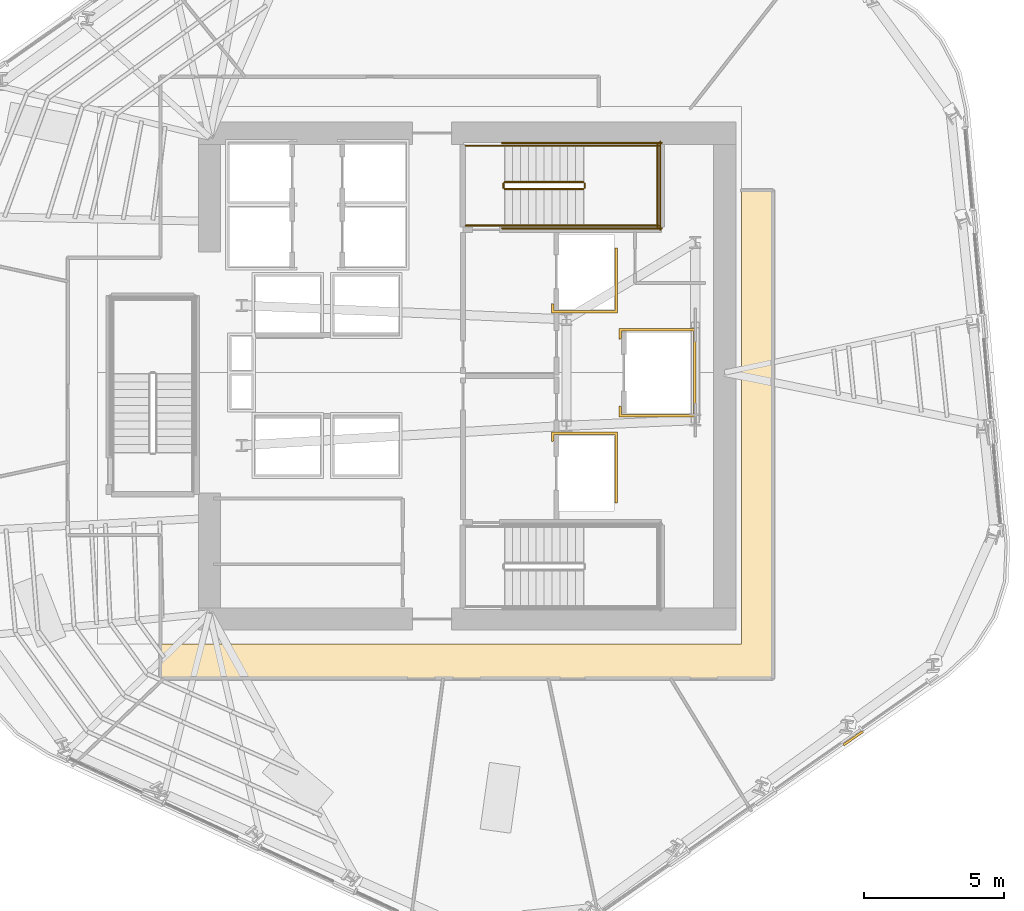
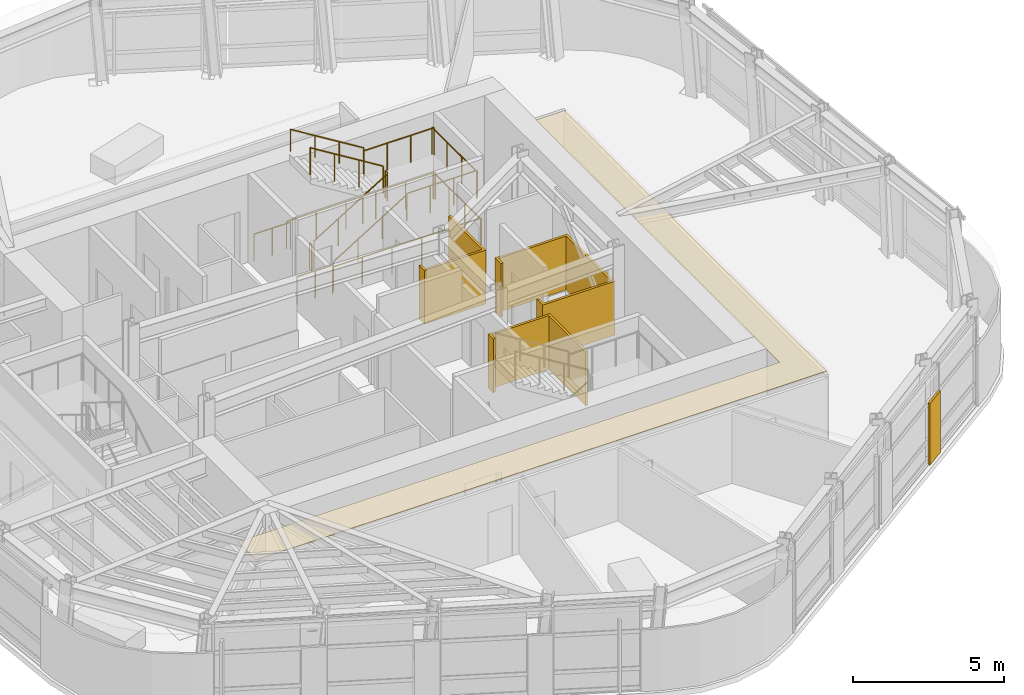
# One storey, part 12 of 14: 14 railings, 5 coverings.
"""IFC4 building model written with IfcOpenShell, lengths in metres."""

import ifcopenshell
import ifcopenshell.guid

model = None  # the IFC model being written
_history = None  # IfcOwnerHistory: only IFC2X3 demands one
_inside = {}  # id of a spatial element -> (the spatial element, [elements in it])
_under = {}  # id of a project, library or spatial element -> (it, [spatial elements below it])
_declared = {}  # id of a project -> (the project, [libraries it declares])
_typed = {}  # id of a type object -> (the type object, [elements of that type])
_made_of = {}  # id of a material, layer set ... -> (it, [elements and type objects made of it])


def new_model(schema):
    """Start an empty IFC model of exactly this schema.

    Asked for "IFC4X3", IfcOpenShell would pick the latest addendum, in which some entities
    have other attributes; the version numbers below select the first issue.
    IFC2X3 requires an IfcOwnerHistory on every rooted entity: one is made here for all.
    """
    global model, _history
    if schema == "IFC4X3":
        model = ifcopenshell.file(schema_version=(4, 3, 0, 0))
    else:
        model = ifcopenshell.file(schema=schema)
    _inside.clear()
    _under.clear()
    _declared.clear()
    _typed.clear()
    _made_of.clear()
    _history = None
    if model.schema == "IFC2X3":
        org = make("IfcOrganization", Name="unknown")
        user = make(
            "IfcPersonAndOrganization",
            ThePerson=make("IfcPerson", FamilyName="unknown"),
            TheOrganization=org,
        )
        app = make(
            "IfcApplication",
            ApplicationDeveloper=org,
            Version="unknown",
            ApplicationFullName="unknown",
            ApplicationIdentifier="unknown",
        )
        _history = make(
            "IfcOwnerHistory",
            OwningUser=user,
            OwningApplication=app,
            ChangeAction="ADDED",
            CreationDate=0,
        )
    return model


def make(cls, **values):
    """One entity of the class cls with the attributes given. An attribute that is None is left unset."""
    return model.create_entity(
        cls, **{name: value for name, value in values.items() if value is not None}
    )


def rooted(cls, **values):
    """An entity with a GlobalId (a new one), such as an element, a storey or a relation."""
    return make(cls, GlobalId=ifcopenshell.guid.new(), OwnerHistory=_history, **values)


def si_unit(unit_type, name, prefix=None):
    """IfcSIUnit, for example si_unit("LENGTHUNIT", "METRE", prefix="MILLI")."""
    return make("IfcSIUnit", UnitType=unit_type, Prefix=prefix, Name=name)


def assignment(units):
    """IfcUnitAssignment: the units of a project."""
    return None if units is None else make("IfcUnitAssignment", Units=units)


def point(xyz):
    """IfcCartesianPoint."""
    return None if xyz is None else make("IfcCartesianPoint", Coordinates=xyz)


def direction(xyz):
    """IfcDirection."""
    return None if xyz is None else make("IfcDirection", DirectionRatios=xyz)


def frame(location, z_axis=None, x_axis=None):
    """IfcAxis2Placement3D, a coordinate frame: its origin and axes. An axis left out is left unset."""
    return make(
        "IfcAxis2Placement3D",
        Location=point(location),
        Axis=direction(z_axis),
        RefDirection=direction(x_axis),
    )


def frame_2d(location, x_axis=None):
    """IfcAxis2Placement2D, a coordinate frame in the plane: its origin and x axis."""
    return make(
        "IfcAxis2Placement2D", Location=point(location), RefDirection=direction(x_axis)
    )


def origin():
    """The frame at (0, 0, 0) with its axes left unset."""
    return frame((0.0, 0.0, 0.0))


def origin_2d():
    """The frame at (0, 0) in the plane with its x axis left unset."""
    return frame_2d((0.0, 0.0))


def place(relative_to, where):
    """IfcLocalPlacement: puts the frame where relative to a parent placement (None: the world)."""
    return make(
        "IfcLocalPlacement", PlacementRelTo=relative_to, RelativePlacement=where
    )


def context(
    kind, dimensions, precision=None, world=None, true_north=None, identifier=None
):
    """IfcGeometricRepresentationContext, for example the 3D "Model" context."""
    return make(
        "IfcGeometricRepresentationContext",
        ContextIdentifier=identifier,
        ContextType=kind,
        CoordinateSpaceDimension=dimensions,
        Precision=precision,
        WorldCoordinateSystem=world,
        TrueNorth=true_north,
    )


def subcontext(parent, identifier, kind, view, scale=None):
    """IfcGeometricRepresentationSubContext, for example "Body" below "Model"."""
    return make(
        "IfcGeometricRepresentationSubContext",
        ContextIdentifier=identifier,
        ContextType=kind,
        ParentContext=parent,
        TargetScale=scale,
        TargetView=view,
    )


def project(units=None, contexts=None):
    """IfcProject with its units and contexts."""
    return rooted(
        "IfcProject",
        Name="project",
        RepresentationContexts=contexts,
        UnitsInContext=assignment(units),
    )


def spatial(cls, under=None, at=None, **own):
    """A site, building, storey or space (cls), placed at a placement, below another one or the project."""
    s = rooted(cls, ObjectPlacement=at, **own)
    if under is not None:
        _under.setdefault(under.id(), (under, []))[1].append(s)
    return s


def polyline(points):
    """IfcPolyline through the points."""
    return make("IfcPolyline", Points=[point(p) for p in points])


def profile(cls, at=None, kind="AREA", **sizes):
    """A parametric profile (cls). Its sizes go by their IFC names, for example OverallWidth=200.0."""
    return make(cls, ProfileType=kind, Position=at, **sizes)


def circle(**sizes):
    """IfcCircleProfileDef."""
    return profile("IfcCircleProfileDef", **sizes)


def outline(outer, holes=None, kind="AREA"):
    """IfcArbitraryClosedProfileDef: a profile drawn as a closed curve; with holes, ...WithVoids."""
    if holes is None:
        return make("IfcArbitraryClosedProfileDef", ProfileType=kind, OuterCurve=outer)
    return make(
        "IfcArbitraryProfileDefWithVoids",
        ProfileType=kind,
        OuterCurve=outer,
        InnerCurves=holes,
    )


def extrude(swept, where, along, depth):
    """IfcExtrudedAreaSolid: the profile swept, set in the frame where, extruded along a direction by depth."""
    return make(
        "IfcExtrudedAreaSolid",
        SweptArea=swept,
        Position=where,
        ExtrudedDirection=direction(along),
        Depth=depth,
    )


def shape(context_of_items, identifier, shape_type, items):
    """IfcShapeRepresentation: the items that make up one representation, for example the "Body"."""
    return make(
        "IfcShapeRepresentation",
        ContextOfItems=context_of_items,
        RepresentationIdentifier=identifier,
        RepresentationType=shape_type,
        Items=items,
    )


def material(Name=None, Category=None):
    """IfcMaterial."""
    return make("IfcMaterial", Name=Name, Category=Category)


def layer(
    of_material, thickness, ventilated=None, Name=None, Category=None, Priority=None
):
    """IfcMaterialLayer: one layer of a wall or slab, of a material (None: an air gap)."""
    return make(
        "IfcMaterialLayer",
        Material=of_material,
        LayerThickness=thickness,
        IsVentilated=ventilated,
        Name=Name,
        Category=Category,
        Priority=Priority,
    )


def layer_set(layers, Name=None):
    """IfcMaterialLayerSet."""
    return make("IfcMaterialLayerSet", MaterialLayers=layers, LayerSetName=Name)


def made_of(thing, what):
    """Note that an element or type object is made of a material, layer set ...; save() writes the relation."""
    if what is not None:
        _made_of.setdefault(what.id(), (what, []))[1].append(thing)
    return thing


def type_object(cls, material=None, **own):
    """A type object (cls), such as IfcWallType, which elements share."""
    return made_of(rooted(cls, **own), material)


def element(
    cls,
    number,
    at=None,
    inside=None,
    cuts=None,
    type_object=None,
    material=None,
    context=None,
    identifier="Body",
    shape_type=None,
    held_by="IfcProductDefinitionShape",
    body=None,
    shapes=None,
    **own,
):
    """One element of the class cls, such as IfcWall. Its Tag is "e" and its number.

    at: its placement. inside: the storey or other place that contains it. cuts: it is an
    opening in that element (IfcRelVoidsElement). A single representation is given by context,
    identifier, shape_type and body (its items); several are given by shapes. held_by: the class
    of the entity that holds the representations. save() writes the other relations.
    """
    e = rooted(cls, Tag="e%d" % number, ObjectPlacement=at, **own)
    if body is not None:
        shapes = [shape(context, identifier, shape_type, body)]
    if shapes is not None:
        e.Representation = make(held_by, Representations=shapes)
    if inside is not None:
        _inside.setdefault(inside.id(), (inside, []))[1].append(e)
    if cuts is not None:
        rooted(
            "IfcRelVoidsElement", RelatingBuildingElement=cuts, RelatedOpeningElement=e
        )
    if type_object is not None:
        _typed.setdefault(type_object.id(), (type_object, []))[1].append(e)
    return made_of(e, material)


def aggregate(whole, parts):
    """IfcRelAggregates: a whole, such as a stair, and the parts it consists of."""
    return rooted("IfcRelAggregates", RelatingObject=whole, RelatedObjects=parts)


def save(model, path):
    """Write the relations noted so far, then the file.

    IfcRelAggregates (storeys below a building ...), IfcRelContainedInSpatialStructure (elements
    in a storey), IfcRelDefinesByType, IfcRelAssociatesMaterial and IfcRelDeclares: one each for
    every whole, place, type object, material and project.
    """
    for whole, parts in _under.values():
        aggregate(whole, parts)
    for where, things in _inside.values():
        rooted(
            "IfcRelContainedInSpatialStructure",
            RelatedElements=things,
            RelatingStructure=where,
        )
    for kind, things in _typed.values():
        rooted("IfcRelDefinesByType", RelatedObjects=things, RelatingType=kind)
    for what, things in _made_of.values():
        rooted("IfcRelAssociatesMaterial", RelatedObjects=things, RelatingMaterial=what)
    for by, libraries in _declared.values():
        rooted("IfcRelDeclares", RelatingContext=by, RelatedDefinitions=libraries)
    model.write(path)


model = new_model("IFC4")

# Units and contexts
model_context = context("Model", 3, precision=1e-05, world=origin(), true_north=direction((0.0, 1.0)))
body_context = subcontext(model_context, "Body", "Model", "MODEL_VIEW")
ifc_project = project(units=[si_unit("LENGTHUNIT", "METRE"), si_unit("AREAUNIT", "SQUARE_METRE"), si_unit("VOLUMEUNIT", "CUBIC_METRE"), si_unit("PLANEANGLEUNIT", "RADIAN"), si_unit("MASSUNIT", "GRAM", prefix="KILO")], contexts=[model_context])

# Site, building, storey
site_placement = place(None, origin())
site = spatial("IfcSite", under=ifc_project, at=site_placement, CompositionType="ELEMENT")
building_placement = place(site_placement, origin())
building = spatial("IfcBuilding", under=site, at=building_placement, Name="Valkerne Bourse Tower", CompositionType="ELEMENT")
storey_placement = place(building_placement, frame((0.0, 0.0, 174.199951171875)))
storey = spatial("IfcBuildingStorey", under=building, at=storey_placement, Name="L44", CompositionType="ELEMENT", Elevation=174.199951171875)

# Coverings
ifc_material_1 = material(Name="Bronze Anodised Aluminium AA 6063-T6", Category="aluminium")
ifc_layer_1 = layer(ifc_material_1, 0.030029296875)
ifc_layer_set_1 = layer_set([ifc_layer_1], Name="Bronze Anodised Aluminium AA 6063-T6")
covering_type_1 = type_object("IfcCoveringType", Name="COV-CEIL-METAL", PredefinedType="CEILING", material=ifc_layer_set_1)
covering_1_placement = place(storey_placement, frame((0.0, 0.0, 3.22998046875)))
element("IfcCovering", 1, at=covering_1_placement, inside=storey, type_object=covering_type_1, Name="L44 Suspended Ceiling 01", PredefinedType="CEILING", context=body_context, shape_type="SweptSolid", body=[
    extrude(outline(polyline([(35.85400390625, 17.300048828125), (56.60009765625, 17.300048828125), (56.60009765625, 33.49609375), (57.716064453125, 33.49609375), (57.716064453125, 16.083984375), (35.85400390625, 16.083984375), (35.85400390625, 17.300048828125)])), origin(), (0.0, 0.0, 1.0), 0.025146484375),
])
ifc_layer_2 = layer(ifc_material_1, 0.06005859375)
ifc_layer_set_2 = layer_set([ifc_layer_2], Name="Bronze Anodised Aluminium AA 6063-T6")
covering_type_2 = type_object("IfcCoveringType", Name="COV-CRN-ALUM", PredefinedType="CLADDING", material=ifc_layer_set_2)
covering_2_placement = place(storey_placement, origin())
element("IfcCovering", 2, at=covering_2_placement, inside=storey, type_object=covering_type_2, Name="L44 Wind-Shaped Corner Aluminium Cladding 02", PredefinedType="CLADDING", context=body_context, shape_type="SweptSolid", body=[
    extrude(outline(polyline([(60.26513671875, 13.6689453125), (60.218994140625, 13.734375), (60.908203125, 14.214599609375), (60.9541015625, 14.149169921875), (60.26513671875, 13.6689453125)])), origin(), (0.0, 0.0, 1.0), 2.5),
])
ifc_material_2 = material(Name="Gypsum Shaftwall Liner Board", Category="gypsum")
ifc_layer_3 = layer(ifc_material_2, 0.080078125)
ifc_layer_set_3 = layer_set([ifc_layer_3], Name="Gypsum Shaftwall Liner Board")
covering_type_3 = type_object("IfcCoveringType", Name="COV-SHF-CLAD", PredefinedType="CLADDING", material=ifc_layer_set_3)
covering_3_placement = place(storey_placement, origin())
element("IfcCovering", 3, at=covering_3_placement, inside=storey, type_object=covering_type_3, Name="L44 Hoistway & Riser Shaftwall Liner 05", PredefinedType="CLADDING", context=body_context, shape_type="SweptSolid", body=[
    extrude(outline(polyline([(52.179931640625, 22.35009765625), (52.090087890625, 22.35009765625), (52.090087890625, 24.7900390625), (49.909912109375, 24.7900390625), (49.909912109375, 24.560791015625), (49.869384765625, 24.550537109375), (49.827880859375, 24.53564453125), (49.820068359375, 24.531982421875), (49.820068359375, 24.8798828125), (52.179931640625, 24.8798828125), (52.179931640625, 22.35009765625)])), origin(), (0.0, 0.0, 1.0), 2.179931640625),
])
covering_4_placement = place(storey_placement, origin())
element("IfcCovering", 4, at=covering_4_placement, inside=storey, type_object=covering_type_3, Name="L44 Hoistway & Riser Shaftwall Liner 06", PredefinedType="CLADDING", context=body_context, shape_type="SweptSolid", body=[
    extrude(outline(polyline([(54.97998046875, 25.419921875), (52.219970703125, 25.419921875), (52.219970703125, 25.81787109375), (52.227783203125, 25.814208984375), (52.269287109375, 25.79931640625), (52.31005859375, 25.789306640625), (52.31005859375, 25.510009765625), (54.889892578125, 25.510009765625), (54.889892578125, 28.489990234375), (52.31005859375, 28.489990234375), (52.31005859375, 28.210693359375), (52.269287109375, 28.20068359375), (52.227783203125, 28.185791015625), (52.219970703125, 28.18212890625), (52.219970703125, 28.580078125), (54.97998046875, 28.580078125), (54.97998046875, 25.419921875)])), origin(), (0.0, 0.0, 1.0), 2.179931640625),
])
covering_5_placement = place(storey_placement, origin())
element("IfcCovering", 5, at=covering_5_placement, inside=storey, type_object=covering_type_3, Name="L44 Hoistway & Riser Shaftwall Liner 08", PredefinedType="CLADDING", context=body_context, shape_type="SweptSolid", body=[
    extrude(outline(polyline([(49.820068359375, 29.1201171875), (49.820068359375, 29.468017578125), (49.827880859375, 29.46435546875), (49.869384765625, 29.449462890625), (49.909912109375, 29.439208984375), (49.909912109375, 29.2099609375), (52.090087890625, 29.2099609375), (52.090087890625, 31.449951171875), (52.179931640625, 31.449951171875), (52.179931640625, 29.1201171875), (49.820068359375, 29.1201171875)])), origin(), (0.0, 0.0, 1.0), 2.179931640625),
])

# Railings
ifc_material_3 = material(Name="Galvanised Painted Steel", Category="steel")
railing_type_1 = type_object("IfcRailingType", Name="RLG-ST-GUARD-1120", PredefinedType="GUARDRAIL", material=ifc_material_3)
railing_1_placement = place(storey_placement, frame((48.14990234375, 33.550048828125, 0.1728515625)))
element("IfcRailing", 6, at=railing_1_placement, inside=storey, type_object=railing_type_1, Name="L44 ST-2 stair guard 1", PredefinedType="GUARDRAIL", context=body_context, shape_type="SweptSolid", body=[
    extrude(circle(Radius=0.02392578125, at=origin_2d()), frame((0.0, 0.0, 1.09619140625), z_axis=(0.851089632645, 0.0, 0.525020415988), x_axis=(0.0, 1.0, 0.0)), (0.0, 0.0, 1.0), 3.2900390625),
    extrude(circle(Radius=0.02099609375, at=origin_2d()), origin(), (0.0, 0.0, 1.0), 1.072021484375),
    extrude(circle(Radius=0.02099609375, at=origin_2d()), frame((0.933349609375, 0.0, 0.57568359375)), (0.0, 0.0, 1.0), 1.072021484375),
    extrude(circle(Radius=0.02099609375, at=origin_2d()), frame((1.86669921875, 0.0, 1.151611328125)), (0.0, 0.0, 1.0), 1.072021484375),
    extrude(circle(Radius=0.02099609375, at=origin_2d()), frame((2.800048828125, 0.0, 1.727294921875)), (0.0, 0.0, 1.0), 1.072021484375),
])
railing_2_placement = place(storey_placement, frame((51.0, 33.60009765625, 1.900146484375)))
element("IfcRailing", 7, at=railing_2_placement, inside=storey, type_object=railing_type_1, Name="L44 ST-2 stair guard 2", PredefinedType="GUARDRAIL", context=body_context, shape_type="SweptSolid", body=[
    extrude(circle(Radius=0.02392578125, at=origin_2d()), frame((0.0, 0.0, 1.09619140625), z_axis=(0.0, 1.0, 0.0), x_axis=(-1.0, 0.0, 0.0)), (0.0, 0.0, 1.0), 0.14990234375),
    extrude(circle(Radius=0.02099609375, at=origin_2d()), origin(), (0.0, 0.0, 1.0), 1.072021484375),
    extrude(circle(Radius=0.02099609375, at=origin_2d()), frame((0.0, 0.14990234375, 0.0)), (0.0, 0.0, 1.0), 1.072021484375),
])
for number, where, name in (
    (8, (50.949951171875, 32.25, 1.900146484375), "L44 ST-2 stair guard 3"),
    (9, (50.949951171875, 35.10009765625, 1.900146484375), "L44 ST-2 stair guard 4"),
):
    element("IfcRailing", number, at=place(storey_placement, frame(where)), inside=storey, type_object=railing_type_1, Name=name, PredefinedType="GUARDRAIL", context=body_context, shape_type="SweptSolid", body=[
        extrude(circle(Radius=0.02392578125, at=origin_2d()), frame((0.0, 0.0, 1.09619140625), z_axis=(1.0, 0.0, 0.0), x_axis=(0.0, 1.0, 0.0)), (0.0, 0.0, 1.0), 2.699951171875),
        extrude(circle(Radius=0.02099609375, at=origin_2d()), origin(), (0.0, 0.0, 1.0), 1.072021484375),
        extrude(circle(Radius=0.02099609375, at=origin_2d()), frame((0.89990234375, 0.0, 0.0)), (0.0, 0.0, 1.0), 1.072021484375),
        extrude(circle(Radius=0.02099609375, at=origin_2d()), frame((1.800048828125, 0.0, 0.0)), (0.0, 0.0, 1.0), 1.072021484375),
        extrude(circle(Radius=0.02099609375, at=origin_2d()), frame((2.699951171875, 0.0, 0.0)), (0.0, 0.0, 1.0), 1.072021484375),
    ])
railing_3_placement = place(storey_placement, frame((53.60009765625, 32.199951171875, 1.900146484375)))
element("IfcRailing", 10, at=railing_3_placement, inside=storey, type_object=railing_type_1, Name="L44 ST-2 stair guard 5", PredefinedType="GUARDRAIL", context=body_context, shape_type="SweptSolid", body=[
    extrude(circle(Radius=0.02392578125, at=origin_2d()), frame((0.0, 0.0, 1.09619140625), z_axis=(0.0, 1.0, 0.0), x_axis=(-1.0, 0.0, 0.0)), (0.0, 0.0, 1.0), 2.949951171875),
    extrude(circle(Radius=0.02099609375, at=origin_2d()), origin(), (0.0, 0.0, 1.0), 1.072021484375),
    extrude(circle(Radius=0.02099609375, at=origin_2d()), frame((0.0, 0.9833984375, 0.0)), (0.0, 0.0, 1.0), 1.072021484375),
    extrude(circle(Radius=0.02099609375, at=origin_2d()), frame((0.0, 1.966552734375, 0.0)), (0.0, 0.0, 1.0), 1.072021484375),
    extrude(circle(Radius=0.02099609375, at=origin_2d()), frame((0.0, 2.949951171875, 0.0)), (0.0, 0.0, 1.0), 1.072021484375),
])
railing_4_placement = place(storey_placement, frame((50.949951171875, 33.800048828125, 2.07275390625)))
element("IfcRailing", 11, at=railing_4_placement, inside=storey, type_object=railing_type_1, Name="L44 ST-2 stair guard 6", PredefinedType="GUARDRAIL", context=body_context, shape_type="SweptSolid", body=[
    extrude(circle(Radius=0.02392578125, at=origin_2d()), frame((0.0, 0.0, 1.09619140625), z_axis=(-0.851089632645, 0.0, 0.525020415988), x_axis=(0.0, -1.0, 0.0)), (0.0, 0.0, 1.0), 3.2900390625),
    extrude(circle(Radius=0.02099609375, at=origin_2d()), origin(), (0.0, 0.0, 1.0), 1.072021484375),
    extrude(circle(Radius=0.02099609375, at=origin_2d()), frame((-0.933349609375, 0.0, 0.57568359375)), (0.0, 0.0, 1.0), 1.072021484375),
    extrude(circle(Radius=0.02099609375, at=origin_2d()), frame((-1.86669921875, 0.0, 1.151611328125)), (0.0, 0.0, 1.0), 1.072021484375),
    extrude(circle(Radius=0.02099609375, at=origin_2d()), frame((-2.800048828125, 0.0, 1.727294921875)), (0.0, 0.0, 1.0), 1.072021484375),
])
railing_5_placement = place(storey_placement, frame((48.10009765625, 33.60009765625, 0.0)))
element("IfcRailing", 12, at=railing_5_placement, inside=storey, type_object=railing_type_1, Name="L44 ST-2 stair guard 7", PredefinedType="GUARDRAIL", context=body_context, shape_type="SweptSolid", body=[
    extrude(circle(Radius=0.02392578125, at=origin_2d()), frame((0.0, 0.0, 1.09619140625), z_axis=(0.0, 1.0, 0.0), x_axis=(-1.0, 0.0, 0.0)), (0.0, 0.0, 1.0), 0.14990234375),
    extrude(circle(Radius=0.02099609375, at=origin_2d()), origin(), (0.0, 0.0, 1.0), 1.072021484375),
    extrude(circle(Radius=0.02099609375, at=origin_2d()), frame((0.0, 0.14990234375, 0.0)), (0.0, 0.0, 1.0), 1.072021484375),
])
for number, where, name in (
    (13, (46.75, 32.25, 0.0), "L44 ST-2 stair guard 8"),
    (14, (46.75, 35.10009765625, 0.0), "L44 ST-2 stair guard 9"),
):
    element("IfcRailing", number, at=place(storey_placement, frame(where)), inside=storey, type_object=railing_type_1, Name=name, PredefinedType="GUARDRAIL", context=body_context, shape_type="SweptSolid", body=[
        extrude(circle(Radius=0.02392578125, at=origin_2d()), frame((0.0, 0.0, 1.09619140625), z_axis=(1.0, 0.0, 0.0), x_axis=(0.0, 1.0, 0.0)), (0.0, 0.0, 1.0), 1.39990234375),
        extrude(circle(Radius=0.02099609375, at=origin_2d()), origin(), (0.0, 0.0, 1.0), 1.072021484375),
        extrude(circle(Radius=0.02099609375, at=origin_2d()), frame((0.699951171875, 0.0, 0.0)), (0.0, 0.0, 1.0), 1.072021484375),
        extrude(circle(Radius=0.02099609375, at=origin_2d()), frame((1.39990234375, 0.0, 0.0)), (0.0, 0.0, 1.0), 1.072021484375),
    ])
for number, where, name in (
    (15, (48.050048828125, 32.14990234375, 0.0), "L44 ST-2 stair guard 10"),
    (16, (48.050048828125, 35.199951171875, 0.0), "L44 ST-2 stair guard 11"),
):
    element("IfcRailing", number, at=place(storey_placement, frame(where)), inside=storey, type_object=railing_type_1, Name=name, PredefinedType="GUARDRAIL", context=body_context, shape_type="SweptSolid", body=[
        extrude(circle(Radius=0.02392578125, at=origin_2d()), frame((0.0, 0.0, 1.09619140625), z_axis=(1.0, 0.0, 0.0), x_axis=(0.0, 1.0, 0.0)), (0.0, 0.0, 1.0), 5.699951171875),
        extrude(circle(Radius=0.02099609375, at=origin_2d()), origin(), (0.0, 0.0, 1.0), 1.072021484375),
        extrude(circle(Radius=0.02099609375, at=origin_2d()), frame((1.139892578125, 0.0, 0.0)), (0.0, 0.0, 1.0), 1.072021484375),
        extrude(circle(Radius=0.02099609375, at=origin_2d()), frame((2.280029296875, 0.0, 0.0)), (0.0, 0.0, 1.0), 1.072021484375),
        extrude(circle(Radius=0.02099609375, at=origin_2d()), frame((3.419921875, 0.0, 0.0)), (0.0, 0.0, 1.0), 1.072021484375),
        extrude(circle(Radius=0.02099609375, at=origin_2d()), frame((4.56005859375, 0.0, 0.0)), (0.0, 0.0, 1.0), 1.072021484375),
        extrude(circle(Radius=0.02099609375, at=origin_2d()), frame((5.699951171875, 0.0, 0.0)), (0.0, 0.0, 1.0), 1.072021484375),
    ])
railing_6_placement = place(storey_placement, frame((53.699951171875, 32.10009765625, 0.0)))
element("IfcRailing", 17, at=railing_6_placement, inside=storey, type_object=railing_type_1, Name="L44 ST-2 stair guard 12", PredefinedType="GUARDRAIL", context=body_context, shape_type="SweptSolid", body=[
    extrude(circle(Radius=0.02392578125, at=origin_2d()), frame((0.0, 0.0, 1.09619140625), z_axis=(0.0, 1.0, 0.0), x_axis=(-1.0, 0.0, 0.0)), (0.0, 0.0, 1.0), 3.14990234375),
    extrude(circle(Radius=0.02099609375, at=origin_2d()), origin(), (0.0, 0.0, 1.0), 1.072021484375),
    extrude(circle(Radius=0.02099609375, at=origin_2d()), frame((0.0, 1.050048828125, 0.0)), (0.0, 0.0, 1.0), 1.072021484375),
    extrude(circle(Radius=0.02099609375, at=origin_2d()), frame((0.0, 2.099853515625, 0.0)), (0.0, 0.0, 1.0), 1.072021484375),
    extrude(circle(Radius=0.02099609375, at=origin_2d()), frame((0.0, 3.14990234375, 0.0)), (0.0, 0.0, 1.0), 1.072021484375),
])
ifc_material_4 = material(Name="Stainless Steel AISI 316", Category="steel")
railing_type_2 = type_object("IfcRailingType", Name="RLG-ST-HANDRAIL-900", PredefinedType="HANDRAIL", material=ifc_material_4)
railing_7_placement = place(storey_placement, frame((48.14990234375, 32.25, 0.345458984375)))
element("IfcRailing", 18, at=railing_7_placement, inside=storey, type_object=railing_type_2, Name="L44 ST-2 stair handrail 1", PredefinedType="HANDRAIL", context=body_context, shape_type="SweptSolid", body=[
    extrude(circle(Radius=0.02392578125, at=origin_2d()), frame((0.0, 0.0, 0.8759765625), z_axis=(0.851089632645, 0.0, 0.525020415988), x_axis=(0.0, 1.0, 0.0)), (0.0, 0.0, 1.0), 3.2900390625),
    extrude(circle(Radius=0.02099609375, at=origin_2d()), origin(), (0.0, 0.0, 1.0), 0.851806640625),
    extrude(circle(Radius=0.02099609375, at=origin_2d()), frame((0.933349609375, 0.0, 0.57568359375)), (0.0, 0.0, 1.0), 0.851806640625),
    extrude(circle(Radius=0.02099609375, at=origin_2d()), frame((1.86669921875, 0.0, 1.151611328125)), (0.0, 0.0, 1.0), 0.851806640625),
    extrude(circle(Radius=0.02099609375, at=origin_2d()), frame((2.800048828125, 0.0, 1.727294921875)), (0.0, 0.0, 1.0), 0.851806640625),
])
railing_8_placement = place(storey_placement, frame((50.949951171875, 35.10009765625, 2.24560546875)))
element("IfcRailing", 19, at=railing_8_placement, inside=storey, type_object=railing_type_2, Name="L44 ST-2 stair handrail 2", PredefinedType="HANDRAIL", context=body_context, shape_type="SweptSolid", body=[
    extrude(circle(Radius=0.02392578125, at=origin_2d()), frame((0.0, 0.0, 0.8759765625), z_axis=(-0.851122791225, 0.0, 0.524966660138), x_axis=(0.0, -1.0, 0.0)), (0.0, 0.0, 1.0), 3.289794921875),
    extrude(circle(Radius=0.02099609375, at=origin_2d()), origin(), (0.0, 0.0, 1.0), 0.851806640625),
    extrude(circle(Radius=0.02099609375, at=origin_2d()), frame((-0.933349609375, 0.0, 0.57568359375)), (0.0, 0.0, 1.0), 0.851806640625),
    extrude(circle(Radius=0.02099609375, at=origin_2d()), frame((-1.86669921875, 0.0, 1.1513671875)), (0.0, 0.0, 1.0), 0.851806640625),
    extrude(circle(Radius=0.02099609375, at=origin_2d()), frame((-2.800048828125, 0.0, 1.72705078125)), (0.0, 0.0, 1.0), 0.851806640625),
])

save(model, "model.ifc")
